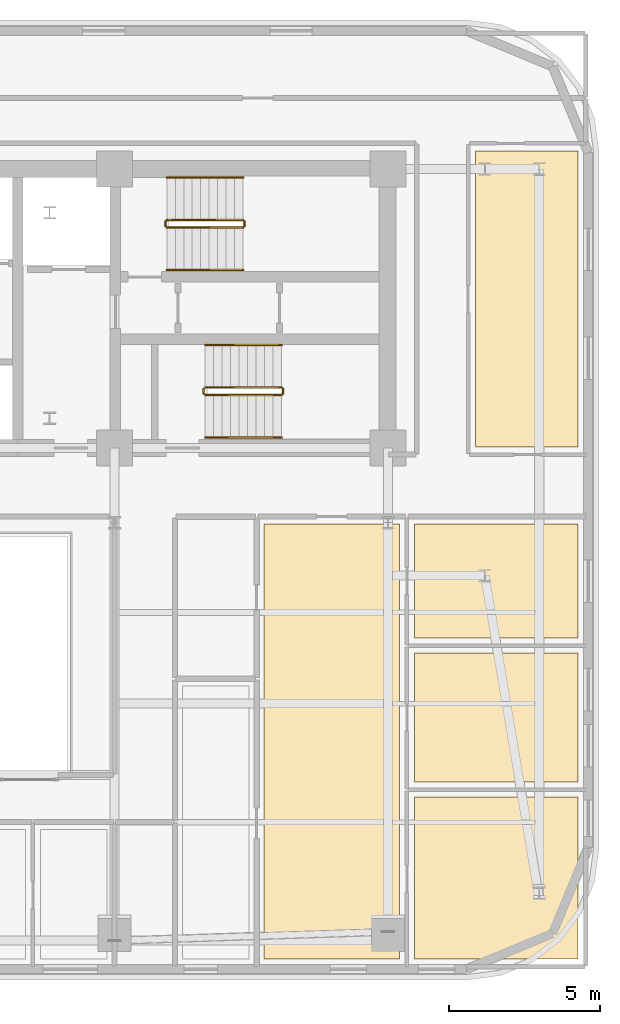
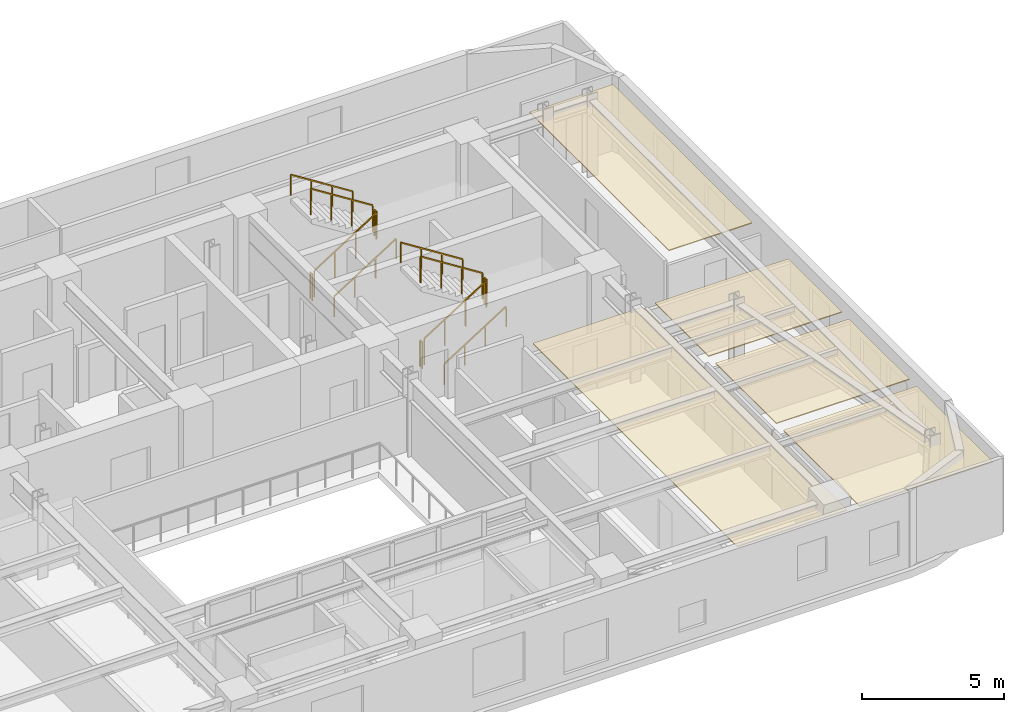
# One storey, part 12 of 12: 12 railings, 5 coverings.
"""IFC4 building model written with IfcOpenShell, lengths in metres."""

from ifc_helpers import new_model, si_unit, direction, frame, origin, origin_2d, place, context, subcontext, project, spatial, polyline, rectangle, outline, extrude, material, layer, layer_set, type_object, element, save


model = new_model("IFC4")

# Units and contexts
model_context = context("Model", 3, precision=1e-05, world=origin(), true_north=direction((0.0, 1.0)))
body_context = subcontext(model_context, "Body", "Model", "MODEL_VIEW")
ifc_project = project(units=[si_unit("LENGTHUNIT", "METRE"), si_unit("AREAUNIT", "SQUARE_METRE"), si_unit("VOLUMEUNIT", "CUBIC_METRE"), si_unit("PLANEANGLEUNIT", "RADIAN"), si_unit("MASSUNIT", "GRAM", prefix="KILO")], contexts=[model_context])

# Site, building, storey
site_placement = place(None, origin())
site = spatial("IfcSite", under=ifc_project, at=site_placement, CompositionType="ELEMENT")
building_placement = place(site_placement, origin())
building = spatial("IfcBuilding", under=site, at=building_placement, Name="Zarnavel Station Tower", CompositionType="ELEMENT")
storey_placement = place(building_placement, frame((0.0, 0.0, 159.0)))
storey = spatial("IfcBuildingStorey", under=building, at=storey_placement, Name="L43", CompositionType="ELEMENT", Elevation=159.0)

# Coverings
ifc_material_1 = material(Name="Perforated Gypsum and Mineral-Wool Acoustic Ceiling", Category="concrete")
ifc_layer = layer(ifc_material_1, 0.0400390625)
ifc_layer_set = layer_set([ifc_layer], Name="COV_CEIL_ACOUSTIC")
covering_type = type_object("IfcCoveringType", Name="COV_CEIL_ACOUSTIC", PredefinedType="CEILING", material=ifc_layer_set)
covering_1_placement = place(storey_placement, frame((0.0, 0.0, 2.969970703125)))
element("IfcCovering", 1, at=covering_1_placement, inside=storey, type_object=covering_type, Name="L43 FNE Acoustic Ceiling", PredefinedType="CEILING", context=body_context, shape_type="SweptSolid", body=[
    extrude(outline(polyline([(48.300048828125, 27.85009765625), (51.68994140625, 27.85009765625), (51.68994140625, 37.64990234375), (48.300048828125, 37.64990234375), (48.300048828125, 27.85009765625)])), origin(), (0.0, 0.0, 1.0), 0.0400390625),
])
covering_2_placement = place(storey_placement, frame((0.0, 0.0, 2.969970703125)))
element("IfcCovering", 2, at=covering_2_placement, inside=storey, type_object=covering_type, Name="L43 UE1LV Acoustic Ceiling", PredefinedType="CEILING", context=body_context, shape_type="SweptSolid", body=[
    extrude(outline(polyline([(41.300048828125, 10.909912109375), (45.77001953125, 10.909912109375), (45.77001953125, 25.300048828125), (41.300048828125, 25.300048828125), (41.300048828125, 10.909912109375)])), origin(), (0.0, 0.0, 1.0), 0.0400390625),
])
covering_3_placement = place(storey_placement, frame((0.0, 0.0, 2.969970703125)))
element("IfcCovering", 3, at=covering_3_placement, inside=storey, type_object=covering_type, Name="L43 UE1B1 Acoustic Ceiling", PredefinedType="CEILING", context=body_context, shape_type="SweptSolid", body=[
    extrude(outline(polyline([(46.27001953125, 10.909912109375), (51.68994140625, 10.909912109375), (51.68994140625, 16.26708984375), (46.27001953125, 16.26708984375), (46.27001953125, 10.909912109375)])), origin(), (0.0, 0.0, 1.0), 0.0400390625),
])
covering_4_placement = place(storey_placement, frame((0.0, 0.0, 2.969970703125)))
element("IfcCovering", 4, at=covering_4_placement, inside=storey, type_object=covering_type, Name="L43 UE1B2 Acoustic Ceiling", PredefinedType="CEILING", context=body_context, shape_type="SweptSolid", body=[
    extrude(outline(polyline([(46.27001953125, 16.76708984375), (51.68994140625, 16.76708984375), (51.68994140625, 21.031982421875), (46.27001953125, 21.031982421875), (46.27001953125, 16.76708984375)])), origin(), (0.0, 0.0, 1.0), 0.0400390625),
])
covering_5_placement = place(storey_placement, frame((0.0, 0.0, 2.969970703125)))
element("IfcCovering", 5, at=covering_5_placement, inside=storey, type_object=covering_type, Name="L43 UE1B3 Acoustic Ceiling", PredefinedType="CEILING", context=body_context, shape_type="SweptSolid", body=[
    extrude(outline(polyline([(46.27001953125, 21.531982421875), (51.68994140625, 21.531982421875), (51.68994140625, 25.300048828125), (46.27001953125, 25.300048828125), (46.27001953125, 21.531982421875)])), origin(), (0.0, 0.0, 1.0), 0.0400390625),
])

# Railings
ifc_material_2 = material(Name="Painted Steel S355J2 Balustrade", Category="steel")
railing_type_1 = type_object("IfcRailingType", Name="GR_INT_1150", PredefinedType="GUARDRAIL", material=ifc_material_2)
railing_1_placement = place(storey_placement, frame((38.080078125, 35.110107421875, 0.177490234375)))
element("IfcRailing", 6, at=railing_1_placement, inside=storey, type_object=railing_type_1, Name="L43 ST2 stair guard 1", PredefinedType="GUARDRAIL", context=body_context, shape_type="SweptSolid", body=[
    extrude(rectangle(XDim=0.048095703125, YDim=0.048095703125, at=origin_2d()), frame((0.001708984375, 0.0, 1.126953125), z_axis=(0.84460694969, 0.0, 0.535386869969), x_axis=(0.0, 1.0, 0.0)), (0.0, 0.0, 1.0), 2.979736328125),
    extrude(rectangle(XDim=0.0419921875, YDim=0.0419921875, at=origin_2d()), origin(), (0.0, 0.0, 1.0), 1.101806640625),
    extrude(rectangle(XDim=0.0419921875, YDim=0.0419921875, at=origin_2d()), frame((0.840087890625, 0.0, 0.532470703125)), (0.0, 0.0, 1.0), 1.101806640625),
    extrude(rectangle(XDim=0.0419921875, YDim=0.0419921875, at=origin_2d()), frame((1.679931640625, 0.0, 1.06494140625)), (0.0, 0.0, 1.0), 1.101806640625),
    extrude(rectangle(XDim=0.0419921875, YDim=0.0419921875, at=origin_2d()), frame((2.52001953125, 0.0, 1.597412109375)), (0.0, 0.0, 1.0), 1.101806640625),
])
railing_2_placement = place(storey_placement, frame((40.64990234375, 35.159912109375, 1.77490234375)))
element("IfcRailing", 7, at=railing_2_placement, inside=storey, type_object=railing_type_1, Name="L43 ST2 stair guard 2", PredefinedType="GUARDRAIL", context=body_context, shape_type="SweptSolid", body=[
    extrude(rectangle(XDim=0.048095703125, YDim=0.048095703125, at=origin_2d()), frame((0.0, 0.001953125, 1.1259765625), z_axis=(0.0, 1.0, 0.0), x_axis=(-1.0, 0.0, 0.0)), (0.0, 0.0, 1.0), 0.15625),
    extrude(rectangle(XDim=0.0419921875, YDim=0.0419921875, at=origin_2d()), origin(), (0.0, 0.0, 1.0), 1.101806640625),
    extrude(rectangle(XDim=0.0419921875, YDim=0.0419921875, at=origin_2d()), frame((0.0, 0.16015625, 0.0)), (0.0, 0.0, 1.0), 1.101806640625),
])
railing_3_placement = place(storey_placement, frame((40.60009765625, 35.3701171875, 1.952392578125)))
element("IfcRailing", 8, at=railing_3_placement, inside=storey, type_object=railing_type_1, Name="L43 ST2 stair guard 3", PredefinedType="GUARDRAIL", context=body_context, shape_type="SweptSolid", body=[
    extrude(rectangle(XDim=0.048095703125, YDim=0.048095703125, at=origin_2d()), frame((-0.001708984375, 0.0, 1.126953125), z_axis=(-0.84456994832, 0.0, 0.535445237532), x_axis=(0.0, -1.0, 0.0)), (0.0, 0.0, 1.0), 2.979736328125),
    extrude(rectangle(XDim=0.0419921875, YDim=0.0419921875, at=origin_2d()), origin(), (0.0, 0.0, 1.0), 1.101806640625),
    extrude(rectangle(XDim=0.0419921875, YDim=0.0419921875, at=origin_2d()), frame((-0.840087890625, 0.0, 0.532470703125)), (0.0, 0.0, 1.0), 1.101806640625),
    extrude(rectangle(XDim=0.0419921875, YDim=0.0419921875, at=origin_2d()), frame((-1.679931640625, 0.0, 1.065185546875)), (0.0, 0.0, 1.0), 1.101806640625),
    extrude(rectangle(XDim=0.0419921875, YDim=0.0419921875, at=origin_2d()), frame((-2.52001953125, 0.0, 1.59765625)), (0.0, 0.0, 1.0), 1.101806640625),
])
railing_4_placement = place(storey_placement, frame((38.030029296875, 35.159912109375, 0.0)))
element("IfcRailing", 9, at=railing_4_placement, inside=storey, type_object=railing_type_1, Name="L43 ST2 stair guard 4", PredefinedType="GUARDRAIL", context=body_context, shape_type="SweptSolid", body=[
    extrude(rectangle(XDim=0.048095703125, YDim=0.048095703125, at=origin_2d()), frame((0.0, 0.001953125, 1.1259765625), z_axis=(0.0, 1.0, 0.0), x_axis=(-1.0, 0.0, 0.0)), (0.0, 0.0, 1.0), 0.15625),
    extrude(rectangle(XDim=0.0419921875, YDim=0.0419921875, at=origin_2d()), origin(), (0.0, 0.0, 1.0), 1.101806640625),
    extrude(rectangle(XDim=0.0419921875, YDim=0.0419921875, at=origin_2d()), frame((0.0, 0.16015625, 0.0)), (0.0, 0.0, 1.0), 1.101806640625),
])
railing_5_placement = place(storey_placement, frame((39.35009765625, 29.570068359375, 0.177490234375)))
element("IfcRailing", 10, at=railing_5_placement, inside=storey, type_object=railing_type_1, Name="L43 ST3 stair guard 1", PredefinedType="GUARDRAIL", context=body_context, shape_type="SweptSolid", body=[
    extrude(rectangle(XDim=0.048095703125, YDim=0.048095703125, at=origin_2d()), frame((0.001708984375, 0.0, 1.126953125), z_axis=(0.84460694969, 0.0, 0.535386869969), x_axis=(0.0, 1.0, 0.0)), (0.0, 0.0, 1.0), 2.979736328125),
    extrude(rectangle(XDim=0.0419921875, YDim=0.0419921875, at=origin_2d()), origin(), (0.0, 0.0, 1.0), 1.101806640625),
    extrude(rectangle(XDim=0.0419921875, YDim=0.0419921875, at=origin_2d()), frame((0.840087890625, 0.0, 0.532470703125)), (0.0, 0.0, 1.0), 1.101806640625),
    extrude(rectangle(XDim=0.0419921875, YDim=0.0419921875, at=origin_2d()), frame((1.679931640625, 0.0, 1.06494140625)), (0.0, 0.0, 1.0), 1.101806640625),
    extrude(rectangle(XDim=0.0419921875, YDim=0.0419921875, at=origin_2d()), frame((2.52001953125, 0.0, 1.597412109375)), (0.0, 0.0, 1.0), 1.101806640625),
])
railing_6_placement = place(storey_placement, frame((41.919921875, 29.6201171875, 1.77490234375)))
element("IfcRailing", 11, at=railing_6_placement, inside=storey, type_object=railing_type_1, Name="L43 ST3 stair guard 2", PredefinedType="GUARDRAIL", context=body_context, shape_type="SweptSolid", body=[
    extrude(rectangle(XDim=0.048095703125, YDim=0.048095703125, at=origin_2d()), frame((0.0, 0.001953125, 1.1259765625), z_axis=(0.0, 1.0, 0.0), x_axis=(-1.0, 0.0, 0.0)), (0.0, 0.0, 1.0), 0.156005859375),
    extrude(rectangle(XDim=0.0419921875, YDim=0.0419921875, at=origin_2d()), origin(), (0.0, 0.0, 1.0), 1.101806640625),
    extrude(rectangle(XDim=0.0419921875, YDim=0.0419921875, at=origin_2d()), frame((0.0, 0.159912109375, 0.0)), (0.0, 0.0, 1.0), 1.101806640625),
])
railing_7_placement = place(storey_placement, frame((41.8701171875, 29.830078125, 1.952392578125)))
element("IfcRailing", 12, at=railing_7_placement, inside=storey, type_object=railing_type_1, Name="L43 ST3 stair guard 3", PredefinedType="GUARDRAIL", context=body_context, shape_type="SweptSolid", body=[
    extrude(rectangle(XDim=0.048095703125, YDim=0.048095703125, at=origin_2d()), frame((-0.001708984375, 0.0, 1.126953125), z_axis=(-0.84456994832, 0.0, 0.535445237532), x_axis=(0.0, -1.0, 0.0)), (0.0, 0.0, 1.0), 2.979736328125),
    extrude(rectangle(XDim=0.0419921875, YDim=0.0419921875, at=origin_2d()), origin(), (0.0, 0.0, 1.0), 1.101806640625),
    extrude(rectangle(XDim=0.0419921875, YDim=0.0419921875, at=origin_2d()), frame((-0.840087890625, 0.0, 0.532470703125)), (0.0, 0.0, 1.0), 1.101806640625),
    extrude(rectangle(XDim=0.0419921875, YDim=0.0419921875, at=origin_2d()), frame((-1.679931640625, 0.0, 1.065185546875)), (0.0, 0.0, 1.0), 1.101806640625),
    extrude(rectangle(XDim=0.0419921875, YDim=0.0419921875, at=origin_2d()), frame((-2.52001953125, 0.0, 1.59765625)), (0.0, 0.0, 1.0), 1.101806640625),
])
railing_8_placement = place(storey_placement, frame((39.300048828125, 29.6201171875, 0.0)))
element("IfcRailing", 13, at=railing_8_placement, inside=storey, type_object=railing_type_1, Name="L43 ST3 stair guard 4", PredefinedType="GUARDRAIL", context=body_context, shape_type="SweptSolid", body=[
    extrude(rectangle(XDim=0.048095703125, YDim=0.048095703125, at=origin_2d()), frame((0.0, 0.001953125, 1.1259765625), z_axis=(0.0, 1.0, 0.0), x_axis=(-1.0, 0.0, 0.0)), (0.0, 0.0, 1.0), 0.156005859375),
    extrude(rectangle(XDim=0.0419921875, YDim=0.0419921875, at=origin_2d()), origin(), (0.0, 0.0, 1.0), 1.101806640625),
    extrude(rectangle(XDim=0.0419921875, YDim=0.0419921875, at=origin_2d()), frame((0.0, 0.159912109375, 0.0)), (0.0, 0.0, 1.0), 1.101806640625),
])
ifc_material_3 = material(Name="Brushed Stainless Steel S355J2 Handrail", Category="steel")
railing_type_2 = type_object("IfcRailingType", Name="HR_STAIR_900", PredefinedType="HANDRAIL", material=ifc_material_3)
railing_9_placement = place(storey_placement, frame((38.080078125, 33.7099609375, 0.177490234375)))
element("IfcRailing", 14, at=railing_9_placement, inside=storey, type_object=railing_type_2, Name="L43 ST2 stair handrail 1", PredefinedType="HANDRAIL", context=body_context, shape_type="SweptSolid", body=[
    extrude(rectangle(XDim=0.048095703125, YDim=0.048095703125, at=origin_2d()), frame((0.001708984375, 0.0, 0.876953125), z_axis=(0.84460694969, 0.0, 0.535386869969), x_axis=(0.0, 1.0, 0.0)), (0.0, 0.0, 1.0), 2.979736328125),
    extrude(rectangle(XDim=0.0419921875, YDim=0.0419921875, at=origin_2d()), origin(), (0.0, 0.0, 1.0), 0.851806640625),
    extrude(rectangle(XDim=0.0419921875, YDim=0.0419921875, at=origin_2d()), frame((0.840087890625, 0.0, 0.532470703125)), (0.0, 0.0, 1.0), 0.851806640625),
    extrude(rectangle(XDim=0.0419921875, YDim=0.0419921875, at=origin_2d()), frame((1.679931640625, 0.0, 1.06494140625)), (0.0, 0.0, 1.0), 0.851806640625),
    extrude(rectangle(XDim=0.0419921875, YDim=0.0419921875, at=origin_2d()), frame((2.52001953125, 0.0, 1.597412109375)), (0.0, 0.0, 1.0), 0.851806640625),
])
railing_10_placement = place(storey_placement, frame((40.60009765625, 36.77001953125, 1.952392578125)))
element("IfcRailing", 15, at=railing_10_placement, inside=storey, type_object=railing_type_2, Name="L43 ST2 stair handrail 2", PredefinedType="HANDRAIL", context=body_context, shape_type="SweptSolid", body=[
    extrude(rectangle(XDim=0.048095703125, YDim=0.048095703125, at=origin_2d()), frame((-0.001708984375, 0.0, 0.876953125), z_axis=(-0.84456994832, 0.0, 0.535445237532), x_axis=(0.0, -1.0, 0.0)), (0.0, 0.0, 1.0), 2.979736328125),
    extrude(rectangle(XDim=0.0419921875, YDim=0.0419921875, at=origin_2d()), origin(), (0.0, 0.0, 1.0), 0.851806640625),
    extrude(rectangle(XDim=0.0419921875, YDim=0.0419921875, at=origin_2d()), frame((-0.840087890625, 0.0, 0.532470703125)), (0.0, 0.0, 1.0), 0.851806640625),
    extrude(rectangle(XDim=0.0419921875, YDim=0.0419921875, at=origin_2d()), frame((-1.679931640625, 0.0, 1.065185546875)), (0.0, 0.0, 1.0), 0.851806640625),
    extrude(rectangle(XDim=0.0419921875, YDim=0.0419921875, at=origin_2d()), frame((-2.52001953125, 0.0, 1.59765625)), (0.0, 0.0, 1.0), 0.851806640625),
])
railing_11_placement = place(storey_placement, frame((39.35009765625, 28.169921875, 0.177490234375)))
element("IfcRailing", 16, at=railing_11_placement, inside=storey, type_object=railing_type_2, Name="L43 ST3 stair handrail 1", PredefinedType="HANDRAIL", context=body_context, shape_type="SweptSolid", body=[
    extrude(rectangle(XDim=0.048095703125, YDim=0.048095703125, at=origin_2d()), frame((0.001708984375, 0.0, 0.876953125), z_axis=(0.84460694969, 0.0, 0.535386869969), x_axis=(0.0, 1.0, 0.0)), (0.0, 0.0, 1.0), 2.979736328125),
    extrude(rectangle(XDim=0.0419921875, YDim=0.0419921875, at=origin_2d()), origin(), (0.0, 0.0, 1.0), 0.851806640625),
    extrude(rectangle(XDim=0.0419921875, YDim=0.0419921875, at=origin_2d()), frame((0.840087890625, 0.0, 0.532470703125)), (0.0, 0.0, 1.0), 0.851806640625),
    extrude(rectangle(XDim=0.0419921875, YDim=0.0419921875, at=origin_2d()), frame((1.679931640625, 0.0, 1.06494140625)), (0.0, 0.0, 1.0), 0.851806640625),
    extrude(rectangle(XDim=0.0419921875, YDim=0.0419921875, at=origin_2d()), frame((2.52001953125, 0.0, 1.597412109375)), (0.0, 0.0, 1.0), 0.851806640625),
])
railing_12_placement = place(storey_placement, frame((41.8701171875, 31.22998046875, 1.952392578125)))
element("IfcRailing", 17, at=railing_12_placement, inside=storey, type_object=railing_type_2, Name="L43 ST3 stair handrail 2", PredefinedType="HANDRAIL", context=body_context, shape_type="SweptSolid", body=[
    extrude(rectangle(XDim=0.048095703125, YDim=0.048095703125, at=origin_2d()), frame((-0.001708984375, 0.0, 0.876953125), z_axis=(-0.84456994832, 0.0, 0.535445237532), x_axis=(0.0, -1.0, 0.0)), (0.0, 0.0, 1.0), 2.979736328125),
    extrude(rectangle(XDim=0.0419921875, YDim=0.0419921875, at=origin_2d()), origin(), (0.0, 0.0, 1.0), 0.851806640625),
    extrude(rectangle(XDim=0.0419921875, YDim=0.0419921875, at=origin_2d()), frame((-0.840087890625, 0.0, 0.532470703125)), (0.0, 0.0, 1.0), 0.851806640625),
    extrude(rectangle(XDim=0.0419921875, YDim=0.0419921875, at=origin_2d()), frame((-1.679931640625, 0.0, 1.065185546875)), (0.0, 0.0, 1.0), 0.851806640625),
    extrude(rectangle(XDim=0.0419921875, YDim=0.0419921875, at=origin_2d()), frame((-2.52001953125, 0.0, 1.59765625)), (0.0, 0.0, 1.0), 0.851806640625),
])

save(model, "model.ifc")
